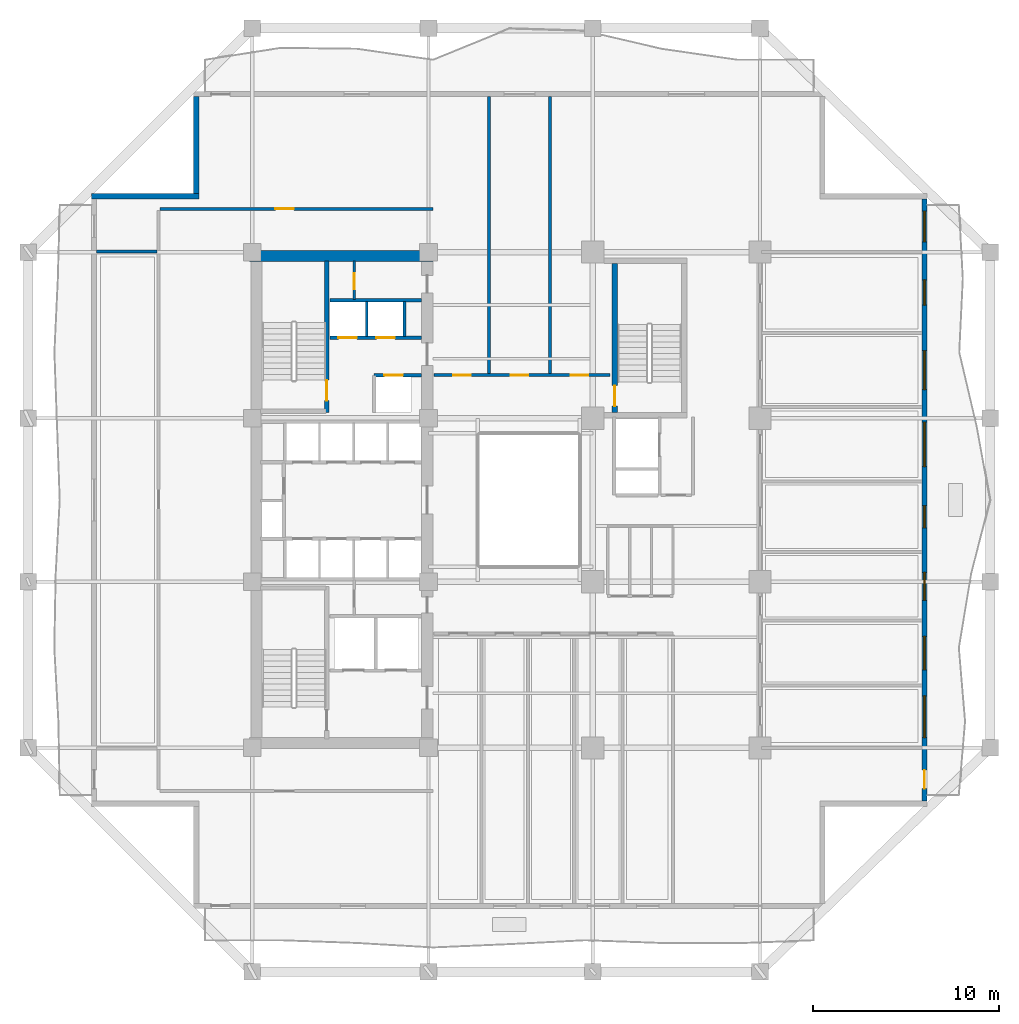
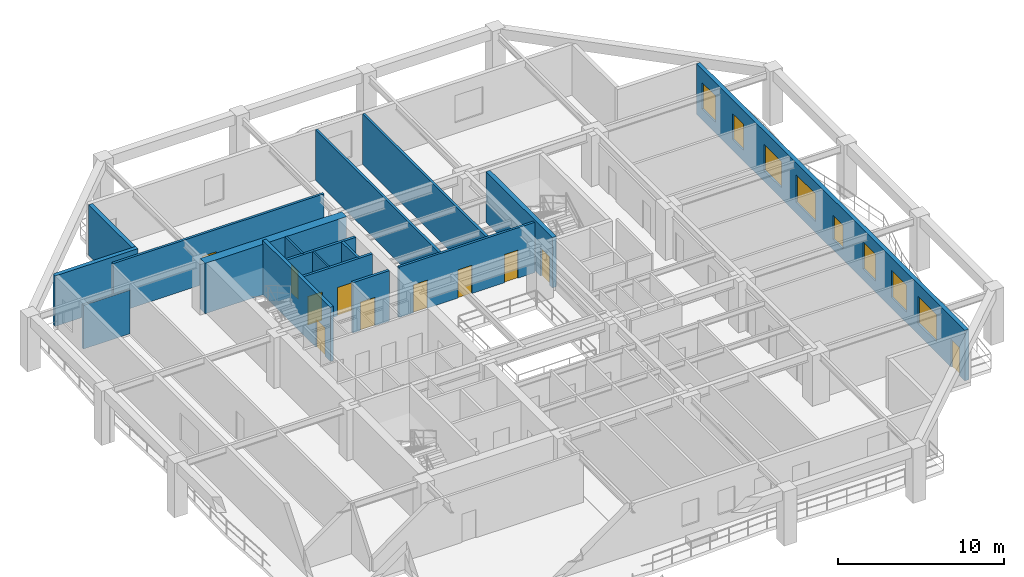
# One storey, part 5 of 13: 17 walls, 11 doors, 8 windows, 19 openings.
"""IFC4 building model written with IfcOpenShell, lengths in metres."""

from ifc_helpers import new_model, si_unit, direction, frame, frame_2d, origin, place, context, subcontext, project, spatial, rectangle, extrude, material, layer, layer_set, type_object, element, fill, save


model = new_model("IFC4")

# Units and contexts
model_context = context("Model", 3, precision=1e-05, world=origin(), true_north=direction((0.0, 1.0)))
body_context = subcontext(model_context, "Body", "Model", "MODEL_VIEW")
ifc_project = project(units=[si_unit("LENGTHUNIT", "METRE"), si_unit("AREAUNIT", "SQUARE_METRE"), si_unit("VOLUMEUNIT", "CUBIC_METRE"), si_unit("PLANEANGLEUNIT", "RADIAN"), si_unit("MASSUNIT", "GRAM", prefix="KILO")], contexts=[model_context])

# Site, building, storey
site_placement = place(None, origin())
site = spatial("IfcSite", under=ifc_project, at=site_placement, CompositionType="ELEMENT")
building_placement = place(site_placement, origin())
building = spatial("IfcBuilding", under=site, at=building_placement, Name="Kundavana Baori Tower", CompositionType="ELEMENT")
storey_placement = place(building_placement, frame((0.0, 0.0, 62.0)))
storey = spatial("IfcBuildingStorey", under=building, at=storey_placement, Name="L14", CompositionType="ELEMENT", Elevation=62.0)

# Wall, opening, door
ifc_material_1 = material(Name="Concrete C50/60", Category="concrete")
ifc_layer_1 = layer(ifc_material_1, 0.39990234375, Name="WL-CORE-400")
ifc_layer_set_1 = layer_set([ifc_layer_1], Name="Concrete C50/60")
wall_type_1 = type_object("IfcWallType", Name="WL-CORE-400", PredefinedType="SHEAR", material=ifc_layer_set_1)
wall_1_placement = place(storey_placement, frame((19.4599609375, 33.300048828125, 0.0), z_axis=(0.0, 0.0, 1.0), x_axis=(0.0, 1.0, 0.0)))
wall_1 = element("IfcWall", 1, at=wall_1_placement, inside=storey, type_object=wall_type_1, Name="WL-L14-ST2-E", PredefinedType="SHEAR", context=body_context, shape_type="SweptSolid", body=[
    extrude(rectangle(XDim=8.179931640625, YDim=0.239990234375, at=frame_2d((4.08984375, 0.0))), origin(), (0.0, 0.0, 1.0), 4.0),
])
opening_1_placement = place(wall_1_placement, frame((0.64990234375, 0.0, 0.0)))
opening_1 = element("IfcOpeningElement", 2, at=opening_1_placement, cuts=wall_1, Name="Opening FD-110", PredefinedType="OPENING", context=body_context, shape_type="SweptSolid", body=[
    extrude(rectangle(XDim=1.10009765625, YDim=2.10009765625, at=frame_2d((0.550048828125, 1.050048828125))), frame((0.0, 0.1298828125, 0.0), z_axis=(0.0, -1.0, 0.0), x_axis=(1.0, 0.0, 0.0)), (0.0, 0.0, 1.0), 0.260009765625),
])
ifc_material_2 = material(Name="Galvanised Steel Fire-Rated Door Leaf", Category="steel")
door_type_1 = type_object("IfcDoorType", Name="DR-FD120-1100", OperationType="NOTDEFINED", PredefinedType="DOOR", material=ifc_material_2)
door_1_placement = place(opening_1_placement, origin())
door_1 = element("IfcDoor", 3, at=door_1_placement, inside=storey, type_object=door_type_1, Name="DR-L14-ST2", OperationType="SINGLE_SWING_RIGHT", OverallHeight=2.10009765625, OverallWidth=1.10009765625, PredefinedType="DOOR", context=body_context, shape_type="SweptSolid", body=[
    extrude(rectangle(XDim=1.10009765625, YDim=2.10009765625, at=frame_2d((0.550048828125, 1.050048828125))), frame((0.0, 0.02490234375, 0.0), z_axis=(0.0, -1.0, 0.0), x_axis=(1.0, 0.0, 0.0)), (0.0, 0.0, 1.0), 0.050048828125),
])
fill(opening_1, door_1)

# Wall
ifc_material_3 = material(Name="Concrete C60/75", Category="concrete")
ifc_layer_2 = layer(ifc_material_3, 0.60009765625, Name="WL-CORE-600")
ifc_layer_set_2 = layer_set([ifc_layer_2], Name="Concrete C60/75")
wall_type_2 = type_object("IfcWallType", Name="WL-CORE-600", PredefinedType="SHEAR", material=ifc_layer_set_2)
wall_2_placement = place(storey_placement, frame((15.300048828125, 41.739990234375, 0.0), z_axis=(0.0, 0.0, 1.0), x_axis=(1.0, 0.0, 0.0)))
element("IfcWall", 4, at=wall_2_placement, inside=storey, type_object=wall_type_2, Name="L14 Offset Core North Shear Wall", PredefinedType="SHEAR", context=body_context, shape_type="SweptSolid", body=[
    extrude(rectangle(XDim=9.8798828125, YDim=0.60009765625, at=frame_2d((4.93994140625, 0.0))), origin(), (0.0, 0.0, 1.0), 3.719970703125),
])

# Wall, openings, door, windows
ifc_material_4 = material(Name="Red-Buff Dholpur Sandstone Cladding on Concrete C40/50", Category="masonry")
ifc_layer_3 = layer(ifc_material_4, 0.280029296875, Name="WL-EXT-SAND-280")
ifc_layer_set_3 = layer_set([ifc_layer_3], Name="Red-Buff Dholpur Sandstone Cladding on Concrete C40/50")
wall_type_3 = type_object("IfcWallType", Name="WL-EXT-SAND-280", PredefinedType="STANDARD", material=ifc_layer_set_3)
wall_3_placement = place(storey_placement, frame((51.659912109375, 12.3798828125, 0.0), z_axis=(0.0, 0.0, 1.0), x_axis=(0.0, 1.0, 0.0)))
wall_3 = element("IfcWall", 5, at=wall_3_placement, inside=storey, type_object=wall_type_3, Name="L14 Exterior Insulated Facade Wall 04", PredefinedType="STANDARD", context=body_context, shape_type="SweptSolid", body=[
    extrude(rectangle(XDim=32.440185546875, YDim=0.280029296875, at=frame_2d((16.22021484375, 0.0))), origin(), (0.0, 0.0, 1.0), 3.719970703125),
])
opening_2_placement = place(wall_3_placement, frame((0.669921875, 0.0, 0.0)))
opening_2 = element("IfcOpeningElement", 6, at=opening_2_placement, cuts=wall_3, Name="Opening BD-1", PredefinedType="OPENING", context=body_context, shape_type="SweptSolid", body=[
    extrude(rectangle(XDim=1.0, YDim=2.050048828125, at=frame_2d((0.5, 1.02490234375))), frame((0.0, 0.14990234375, 0.0), z_axis=(0.0, -1.0, 0.0), x_axis=(1.0, 0.0, 0.0)), (0.0, 0.0, 1.0), 0.300048828125),
])
opening_3_placement = place(wall_3_placement, frame((3.419921875, 0.0, 0.800048828125)))
opening_3 = element("IfcOpeningElement", 7, at=opening_3_placement, cuts=wall_3, Name="Opening W-10", PredefinedType="OPENING", context=body_context, shape_type="SweptSolid", body=[
    extrude(rectangle(XDim=2.25, YDim=2.0, at=frame_2d((1.125, 1.0))), frame((0.0, 0.14990234375, 0.0), z_axis=(0.0, -1.0, 0.0), x_axis=(1.0, 0.0, 0.0)), (0.0, 0.0, 1.0), 0.300048828125),
])
opening_4_placement = place(wall_3_placement, frame((7.070068359375, 0.0, 0.800048828125)))
opening_4 = element("IfcOpeningElement", 8, at=opening_4_placement, cuts=wall_3, Name="Opening W-01", PredefinedType="OPENING", context=body_context, shape_type="SweptSolid", body=[
    extrude(rectangle(XDim=1.800048828125, YDim=2.0, at=frame_2d((0.89990234375, 1.0))), frame((0.0, 0.14990234375, 0.0), z_axis=(0.0, -1.0, 0.0), x_axis=(1.0, 0.0, 0.0)), (0.0, 0.0, 1.0), 0.300048828125),
])
opening_5_placement = place(wall_3_placement, frame((10.820068359375, 0.0, 0.800048828125)))
opening_5 = element("IfcOpeningElement", 9, at=opening_5_placement, cuts=wall_3, Name="Opening W-02", PredefinedType="OPENING", context=body_context, shape_type="SweptSolid", body=[
    extrude(rectangle(XDim=1.5, YDim=2.0, at=frame_2d((0.75, 1.0))), frame((0.0, 0.14990234375, 0.0), z_axis=(0.0, -1.0, 0.0), x_axis=(1.0, 0.0, 0.0)), (0.0, 0.0, 1.0), 0.300048828125),
])
opening_6_placement = place(wall_3_placement, frame((14.719970703125, 0.0, 0.800048828125)))
opening_6 = element("IfcOpeningElement", 10, at=opening_6_placement, cuts=wall_3, Name="Opening W-03", PredefinedType="OPENING", context=body_context, shape_type="SweptSolid", body=[
    extrude(rectangle(XDim=1.199951171875, YDim=1.75, at=frame_2d((0.60009765625, 0.875))), frame((0.0, 0.14990234375, 0.0), z_axis=(0.0, -1.0, 0.0), x_axis=(1.0, 0.0, 0.0)), (0.0, 0.0, 1.0), 0.300048828125),
])
opening_7_placement = place(wall_3_placement, frame((18.02001953125, 0.0, 0.800048828125)))
opening_7 = element("IfcOpeningElement", 11, at=opening_7_placement, cuts=wall_3, Name="Opening W-04", PredefinedType="OPENING", context=body_context, shape_type="SweptSolid", body=[
    extrude(rectangle(XDim=2.39990234375, YDim=2.050048828125, at=frame_2d((1.199951171875, 1.02490234375))), frame((0.0, 0.14990234375, 0.0), z_axis=(0.0, -1.0, 0.0), x_axis=(1.0, 0.0, 0.0)), (0.0, 0.0, 1.0), 0.300048828125),
])
opening_8_placement = place(wall_3_placement, frame((22.169921875, 0.0, 0.800048828125)))
opening_8 = element("IfcOpeningElement", 12, at=opening_8_placement, cuts=wall_3, Name="Opening W-05", PredefinedType="OPENING", context=body_context, shape_type="SweptSolid", body=[
    extrude(rectangle(XDim=2.10009765625, YDim=1.949951171875, at=frame_2d((1.050048828125, 0.97509765625))), frame((0.0, 0.14990234375, 0.0), z_axis=(0.0, -1.0, 0.0), x_axis=(1.0, 0.0, 0.0)), (0.0, 0.0, 1.0), 0.300048828125),
])
opening_9_placement = place(wall_3_placement, frame((26.719970703125, 0.0, 0.800048828125)))
opening_9 = element("IfcOpeningElement", 13, at=opening_9_placement, cuts=wall_3, Name="Opening W-07", PredefinedType="OPENING", context=body_context, shape_type="SweptSolid", body=[
    extrude(rectangle(XDim=1.35009765625, YDim=1.89990234375, at=frame_2d((0.675048828125, 0.949951171875))), frame((0.0, 0.14990234375, 0.0), z_axis=(0.0, -1.0, 0.0), x_axis=(1.0, 0.0, 0.0)), (0.0, 0.0, 1.0), 0.300048828125),
])
opening_10_placement = place(wall_3_placement, frame((30.125, 0.0, 0.800048828125)))
opening_10 = element("IfcOpeningElement", 14, at=opening_10_placement, cuts=wall_3, Name="Opening W-08", PredefinedType="OPENING", context=body_context, shape_type="SweptSolid", body=[
    extrude(rectangle(XDim=1.64990234375, YDim=1.949951171875, at=frame_2d((0.824951171875, 0.97509765625))), frame((0.0, 0.14990234375, 0.0), z_axis=(0.0, -1.0, 0.0), x_axis=(1.0, 0.0, 0.0)), (0.0, 0.0, 1.0), 0.300048828125),
])
ifc_material_5 = material(Name="Architectural Patinated Bronze Metalwork")
door_type_2 = type_object("IfcDoorType", Name="DR-EXT-LOG-1000", OperationType="NOTDEFINED", PredefinedType="DOOR", material=ifc_material_5)
door_2_placement = place(opening_2_placement, frame((1.0, 0.0, 0.0), z_axis=(0.0, 0.0, 1.0), x_axis=(-1.0, 0.0, 0.0)))
door_2 = element("IfcDoor", 15, at=door_2_placement, inside=storey, type_object=door_type_2, Name="L14 Loggia Balcony Access Door E", OperationType="SINGLE_SWING_RIGHT", OverallHeight=2.050048828125, OverallWidth=1.0, PredefinedType="DOOR", context=body_context, shape_type="SweptSolid", body=[
    extrude(rectangle(XDim=1.0, YDim=2.050048828125, at=frame_2d((0.5, 1.02490234375))), frame((0.0, 0.02490234375, 0.0), z_axis=(0.0, -1.0, 0.0), x_axis=(1.0, 0.0, 0.0)), (0.0, 0.0, 1.0), 0.050048828125),
])
fill(opening_2, door_2)
ifc_material_6 = material(Name="Double-Glazed Solar-Control Low-E Insulated Glass", Category="glass")
window_type_1 = type_object("IfcWindowType", Name="WIN-LOG-1200x1750", PartitioningType="SINGLE_PANEL", PredefinedType="WINDOW", material=ifc_material_6)
window_1_placement = place(opening_6_placement, origin())
window_1 = element("IfcWindow", 16, at=window_1_placement, inside=storey, type_object=window_type_1, Name="L14 Recessed Loggia Window E-5", OverallHeight=1.75, OverallWidth=1.199951171875, PartitioningType="SINGLE_PANEL", PredefinedType="WINDOW", context=body_context, shape_type="SweptSolid", body=[
    extrude(rectangle(XDim=1.199951171875, YDim=1.75, at=frame_2d((0.60009765625, 0.875))), frame((0.0, 0.030029296875, 0.0), z_axis=(0.0, -1.0, 0.0), x_axis=(1.0, 0.0, 0.0)), (0.0, 0.0, 1.0), 0.06005859375),
])
fill(opening_6, window_1)
ifc_material_7 = material(Name="Double-Glazed Solar-Control Low-E Insulated Glass", Category="glass")
window_type_2 = type_object("IfcWindowType", Name="WIN-LOG-1350x1900", PartitioningType="SINGLE_PANEL", PredefinedType="WINDOW", material=ifc_material_7)
window_2_placement = place(opening_9_placement, origin())
window_2 = element("IfcWindow", 17, at=window_2_placement, inside=storey, type_object=window_type_2, Name="L14 Recessed Loggia Window E-8", OverallHeight=1.89990234375, OverallWidth=1.35009765625, PartitioningType="SINGLE_PANEL", PredefinedType="WINDOW", context=body_context, shape_type="SweptSolid", body=[
    extrude(rectangle(XDim=1.35009765625, YDim=1.89990234375, at=frame_2d((0.675048828125, 0.949951171875))), frame((0.0, 0.030029296875, 0.0), z_axis=(0.0, -1.0, 0.0), x_axis=(1.0, 0.0, 0.0)), (0.0, 0.0, 1.0), 0.06005859375),
])
fill(opening_9, window_2)
ifc_material_8 = material(Name="Double-Glazed Solar-Control Low-E Insulated Glass", Category="glass")
window_type_3 = type_object("IfcWindowType", Name="WIN-LOG-1500x2000", PartitioningType="SINGLE_PANEL", PredefinedType="WINDOW", material=ifc_material_8)
window_3_placement = place(opening_5_placement, origin())
window_3 = element("IfcWindow", 18, at=window_3_placement, inside=storey, type_object=window_type_3, Name="L14 Recessed Loggia Window E-4", OverallHeight=2.0, OverallWidth=1.5, PartitioningType="SINGLE_PANEL", PredefinedType="WINDOW", context=body_context, shape_type="SweptSolid", body=[
    extrude(rectangle(XDim=1.5, YDim=2.0, at=frame_2d((0.75, 1.0))), frame((0.0, 0.030029296875, 0.0), z_axis=(0.0, -1.0, 0.0), x_axis=(1.0, 0.0, 0.0)), (0.0, 0.0, 1.0), 0.06005859375),
])
fill(opening_5, window_3)
ifc_material_9 = material(Name="Double-Glazed Solar-Control Low-E Insulated Glass", Category="glass")
window_type_4 = type_object("IfcWindowType", Name="WIN-LOG-1650x1950", PartitioningType="SINGLE_PANEL", PredefinedType="WINDOW", material=ifc_material_9)
window_4_placement = place(opening_10_placement, origin())
window_4 = element("IfcWindow", 19, at=window_4_placement, inside=storey, type_object=window_type_4, Name="L14 Recessed Loggia Window E-9", OverallHeight=1.949951171875, OverallWidth=1.64990234375, PartitioningType="SINGLE_PANEL", PredefinedType="WINDOW", context=body_context, shape_type="SweptSolid", body=[
    extrude(rectangle(XDim=1.64990234375, YDim=1.949951171875, at=frame_2d((0.824951171875, 0.97509765625))), frame((0.0, 0.030029296875, 0.0), z_axis=(0.0, -1.0, 0.0), x_axis=(1.0, 0.0, 0.0)), (0.0, 0.0, 1.0), 0.06005859375),
])
fill(opening_10, window_4)
ifc_material_10 = material(Name="Double-Glazed Solar-Control Low-E Insulated Glass", Category="glass")
window_type_5 = type_object("IfcWindowType", Name="WIN-LOG-1800x2000", PartitioningType="SINGLE_PANEL", PredefinedType="WINDOW", material=ifc_material_10)
window_5_placement = place(opening_4_placement, origin())
window_5 = element("IfcWindow", 20, at=window_5_placement, inside=storey, type_object=window_type_5, Name="L14 Recessed Loggia Window E-3", OverallHeight=2.0, OverallWidth=1.800048828125, PartitioningType="SINGLE_PANEL", PredefinedType="WINDOW", context=body_context, shape_type="SweptSolid", body=[
    extrude(rectangle(XDim=1.800048828125, YDim=2.0, at=frame_2d((0.89990234375, 1.0))), frame((0.0, 0.030029296875, 0.0), z_axis=(0.0, -1.0, 0.0), x_axis=(1.0, 0.0, 0.0)), (0.0, 0.0, 1.0), 0.06005859375),
])
fill(opening_4, window_5)
ifc_material_11 = material(Name="Double-Glazed Solar-Control Low-E Insulated Glass", Category="glass")
window_type_6 = type_object("IfcWindowType", Name="WIN-LOG-2100x1950", PartitioningType="SINGLE_PANEL", PredefinedType="WINDOW", material=ifc_material_11)
window_6_placement = place(opening_8_placement, origin())
window_6 = element("IfcWindow", 21, at=window_6_placement, inside=storey, type_object=window_type_6, Name="L14 Recessed Loggia Window E-7", OverallHeight=1.949951171875, OverallWidth=2.10009765625, PartitioningType="SINGLE_PANEL", PredefinedType="WINDOW", context=body_context, shape_type="SweptSolid", body=[
    extrude(rectangle(XDim=2.10009765625, YDim=1.949951171875, at=frame_2d((1.050048828125, 0.97509765625))), frame((0.0, 0.030029296875, 0.0), z_axis=(0.0, -1.0, 0.0), x_axis=(1.0, 0.0, 0.0)), (0.0, 0.0, 1.0), 0.06005859375),
])
fill(opening_8, window_6)
ifc_material_12 = material(Name="Double-Glazed Solar-Control Low-E Insulated Glass", Category="glass")
window_type_7 = type_object("IfcWindowType", Name="WIN-LOG-2250x2000", PartitioningType="SINGLE_PANEL", PredefinedType="WINDOW", material=ifc_material_12)
window_7_placement = place(opening_3_placement, origin())
window_7 = element("IfcWindow", 22, at=window_7_placement, inside=storey, type_object=window_type_7, Name="L14 Recessed Loggia Window E-2", OverallHeight=2.0, OverallWidth=2.25, PartitioningType="SINGLE_PANEL", PredefinedType="WINDOW", context=body_context, shape_type="SweptSolid", body=[
    extrude(rectangle(XDim=2.25, YDim=2.0, at=frame_2d((1.125, 1.0))), frame((0.0, 0.030029296875, 0.0), z_axis=(0.0, -1.0, 0.0), x_axis=(1.0, 0.0, 0.0)), (0.0, 0.0, 1.0), 0.06005859375),
])
fill(opening_3, window_7)
ifc_material_13 = material(Name="Double-Glazed Solar-Control Low-E Insulated Glass", Category="glass")
window_type_8 = type_object("IfcWindowType", Name="WIN-LOG-2400x2050", PartitioningType="SINGLE_PANEL", PredefinedType="WINDOW", material=ifc_material_13)
window_8_placement = place(opening_7_placement, origin())
window_8 = element("IfcWindow", 23, at=window_8_placement, inside=storey, type_object=window_type_8, Name="L14 Recessed Loggia Window E-6", OverallHeight=2.050048828125, OverallWidth=2.39990234375, PartitioningType="SINGLE_PANEL", PredefinedType="WINDOW", context=body_context, shape_type="SweptSolid", body=[
    extrude(rectangle(XDim=2.39990234375, YDim=2.050048828125, at=frame_2d((1.199951171875, 1.02490234375))), frame((0.0, 0.030029296875, 0.0), z_axis=(0.0, -1.0, 0.0), x_axis=(1.0, 0.0, 0.0)), (0.0, 0.0, 1.0), 0.06005859375),
])
fill(opening_7, window_8)

# Walls
wall_4_placement = place(storey_placement, frame((12.43994140625, 50.320068359375, 0.0), z_axis=(0.0, 0.0, 1.0), x_axis=(0.0, -1.0, 0.0)))
element("IfcWall", 24, at=wall_4_placement, inside=storey, type_object=wall_type_3, Name="L14 Exterior Insulated Facade Wall 08", PredefinedType="STANDARD", context=body_context, shape_type="SweptSolid", body=[
    extrude(rectangle(XDim=5.219970703125, YDim=0.280029296875, at=frame_2d((2.60986328125, 0.0))), origin(), (0.0, 0.0, 1.0), 3.719970703125),
])
wall_5_placement = place(storey_placement, frame((12.580078125, 44.9599609375, 0.0), z_axis=(0.0, 0.0, 1.0), x_axis=(-1.0, 0.0, 0.0)))
element("IfcWall", 25, at=wall_5_placement, inside=storey, type_object=wall_type_3, Name="L14 Exterior Insulated Facade Wall 09", PredefinedType="STANDARD", context=body_context, shape_type="SweptSolid", body=[
    extrude(rectangle(XDim=5.780029296875, YDim=0.280029296875, at=frame_2d((2.89013671875, 0.0))), origin(), (0.0, 0.0, 1.0), 3.719970703125),
])
ifc_material_14 = material(Name="Acoustic Gypsum Plasterboard on Galvanised Steel Studs", Category="steel")
ifc_layer_4 = layer(ifc_material_14, 0.1201171875, Name="WL-PART-120")
ifc_layer_set_4 = layer_set([ifc_layer_4], Name="Acoustic Gypsum Plasterboard on Galvanised Steel Studs")
wall_type_4 = type_object("IfcWallType", Name="WL-PART-120", PredefinedType="PARTITIONING", material=ifc_layer_set_4)
wall_6_placement = place(storey_placement, frame((21.6201171875, 37.39990234375, 0.0), z_axis=(0.0, 0.0, 1.0), x_axis=(0.0, 1.0, 0.0)))
element("IfcWall", 26, at=wall_6_placement, inside=storey, type_object=wall_type_4, Name="WL-L14-HR-DIV1", PredefinedType="PARTITIONING", context=body_context, shape_type="SweptSolid", body=[
    extrude(rectangle(XDim=1.900146484375, YDim=0.1201171875, at=frame_2d((0.9501953125, 0.0))), origin(), (0.0, 0.0, 1.0), 3.719970703125),
])

# Wall, opening, door
wall_7_placement = place(storey_placement, frame((20.949951171875, 39.39990234375, 0.0), z_axis=(0.0, 0.0, 1.0), x_axis=(0.0, 1.0, 0.0)))
wall_7 = element("IfcWall", 27, at=wall_7_placement, inside=storey, type_object=wall_type_4, Name="WL-L14-CSRV-D2", PredefinedType="PARTITIONING", context=body_context, shape_type="SweptSolid", body=[
    extrude(rectangle(XDim=2.080078125, YDim=0.1201171875, at=frame_2d((1.0400390625, 0.0))), origin(), (0.0, 0.0, 1.0), 3.719970703125),
])
opening_11_placement = place(wall_7_placement, frame((0.550048828125, 0.0, 0.0)))
opening_11 = element("IfcOpeningElement", 28, at=opening_11_placement, cuts=wall_7, Name="Opening FD-085", PredefinedType="OPENING", context=body_context, shape_type="SweptSolid", body=[
    extrude(rectangle(XDim=0.85009765625, YDim=2.06005859375, at=frame_2d((0.425048828125, 1.030029296875))), frame((0.0, 0.070068359375, 0.0), z_axis=(0.0, -1.0, 0.0), x_axis=(1.0, 0.0, 0.0)), (0.0, 0.0, 1.0), 0.14013671875),
])
ifc_material_15 = material(Name="Galvanised Steel Fire-Rated Door Leaf", Category="steel")
door_type_3 = type_object("IfcDoorType", Name="DR-FD60-850", OperationType="NOTDEFINED", PredefinedType="DOOR", material=ifc_material_15)
door_3_placement = place(opening_11_placement, origin())
door_3 = element("IfcDoor", 29, at=door_3_placement, inside=storey, type_object=door_type_3, Name="DR-L14-CSRV1", OperationType="SINGLE_SWING_RIGHT", OverallHeight=2.06005859375, OverallWidth=0.85009765625, PredefinedType="DOOR", context=body_context, shape_type="SweptSolid", body=[
    extrude(rectangle(XDim=0.85009765625, YDim=2.06005859375, at=frame_2d((0.425048828125, 1.030029296875))), frame((0.0, 0.02490234375, 0.0), z_axis=(0.0, -1.0, 0.0), x_axis=(1.0, 0.0, 0.0)), (0.0, 0.0, 1.0), 0.050048828125),
])
fill(opening_11, door_3)

# Wall, openings, doors
ifc_material_16 = material(Name="Fire-Rated Gypsum Drywall on Galvanised Steel Studs", Category="steel")
ifc_layer_5 = layer(ifc_material_16, 0.1650390625, Name="WL-PART-165")
ifc_layer_set_5 = layer_set([ifc_layer_5], Name="Fire-Rated Gypsum Drywall on Galvanised Steel Studs")
wall_type_5 = type_object("IfcWallType", Name="WL-PART-165", PredefinedType="PARTITIONING", material=ifc_layer_set_5)
wall_8_placement = place(storey_placement, frame((25.25, 35.320068359375, 0.0), z_axis=(0.0, 0.0, 1.0), x_axis=(1.0, 0.0, 0.0)))
wall_8 = element("IfcWall", 30, at=wall_8_placement, inside=storey, type_object=wall_type_5, Name="WL-L14-OFN", PredefinedType="PARTITIONING", context=body_context, shape_type="SweptSolid", body=[
    extrude(rectangle(XDim=9.469970703125, YDim=0.1650390625, at=frame_2d((4.73486328125, 0.0))), origin(), (0.0, 0.0, 1.0), 3.719970703125),
])
opening_12_placement = place(wall_8_placement, frame((1.02490234375, 0.0, 0.0)))
opening_12 = element("IfcOpeningElement", 31, at=opening_12_placement, cuts=wall_8, Name="Opening ID-095", PredefinedType="OPENING", context=body_context, shape_type="SweptSolid", body=[
    extrude(rectangle(XDim=0.949951171875, YDim=2.080078125, at=frame_2d((0.47509765625, 1.0400390625))), frame((0.0, 0.092529296875, 0.0), z_axis=(0.0, -1.0, 0.0), x_axis=(1.0, 0.0, 0.0)), (0.0, 0.0, 1.0), 0.18505859375),
])
opening_13_placement = place(wall_8_placement, frame((4.125, 0.0, 0.0)))
opening_13 = element("IfcOpeningElement", 32, at=opening_13_placement, cuts=wall_8, Name="Opening ID-095", PredefinedType="OPENING", context=body_context, shape_type="SweptSolid", body=[
    extrude(rectangle(XDim=0.949951171875, YDim=2.080078125, at=frame_2d((0.47509765625, 1.0400390625))), frame((0.0, 0.092529296875, 0.0), z_axis=(0.0, -1.0, 0.0), x_axis=(1.0, 0.0, 0.0)), (0.0, 0.0, 1.0), 0.18505859375),
])
opening_14_placement = place(wall_8_placement, frame((7.364990234375, 0.0, 0.0)))
opening_14 = element("IfcOpeningElement", 33, at=opening_14_placement, cuts=wall_8, Name="Opening ID-095", PredefinedType="OPENING", context=body_context, shape_type="SweptSolid", body=[
    extrude(rectangle(XDim=0.949951171875, YDim=2.080078125, at=frame_2d((0.47509765625, 1.0400390625))), frame((0.0, 0.092529296875, 0.0), z_axis=(0.0, -1.0, 0.0), x_axis=(1.0, 0.0, 0.0)), (0.0, 0.0, 1.0), 0.18505859375),
])
ifc_material_17 = material(Name="Engineered Teak Solid-Core Timber Veneer", Category="wood")
door_type_4 = type_object("IfcDoorType", Name="DR-INT-950", OperationType="NOTDEFINED", PredefinedType="DOOR", material=ifc_material_17)
door_4_placement = place(opening_12_placement, origin())
door_4 = element("IfcDoor", 34, at=door_4_placement, inside=storey, type_object=door_type_4, Name="DR-L14-OFN1", OperationType="SINGLE_SWING_LEFT", OverallHeight=2.080078125, OverallWidth=0.949951171875, PredefinedType="DOOR", context=body_context, shape_type="SweptSolid", body=[
    extrude(rectangle(XDim=0.949951171875, YDim=2.080078125, at=frame_2d((0.47509765625, 1.0400390625))), frame((0.0, 0.02490234375, 0.0), z_axis=(0.0, -1.0, 0.0), x_axis=(1.0, 0.0, 0.0)), (0.0, 0.0, 1.0), 0.050048828125),
])
fill(opening_12, door_4)
door_5_placement = place(opening_13_placement, origin())
door_5 = element("IfcDoor", 35, at=door_5_placement, inside=storey, type_object=door_type_4, Name="DR-L14-OFN2", OperationType="SINGLE_SWING_LEFT", OverallHeight=2.080078125, OverallWidth=0.949951171875, PredefinedType="DOOR", context=body_context, shape_type="SweptSolid", body=[
    extrude(rectangle(XDim=0.949951171875, YDim=2.080078125, at=frame_2d((0.47509765625, 1.0400390625))), frame((0.0, 0.02490234375, 0.0), z_axis=(0.0, -1.0, 0.0), x_axis=(1.0, 0.0, 0.0)), (0.0, 0.0, 1.0), 0.050048828125),
])
fill(opening_13, door_5)
door_6_placement = place(opening_14_placement, origin())
door_6 = element("IfcDoor", 36, at=door_6_placement, inside=storey, type_object=door_type_4, Name="DR-L14-OFN3", OperationType="SINGLE_SWING_LEFT", OverallHeight=2.080078125, OverallWidth=0.949951171875, PredefinedType="DOOR", context=body_context, shape_type="SweptSolid", body=[
    extrude(rectangle(XDim=0.949951171875, YDim=2.080078125, at=frame_2d((0.47509765625, 1.0400390625))), frame((0.0, 0.02490234375, 0.0), z_axis=(0.0, -1.0, 0.0), x_axis=(1.0, 0.0, 0.0)), (0.0, 0.0, 1.0), 0.050048828125),
])
fill(opening_14, door_6)

# Wall
wall_9_placement = place(storey_placement, frame((7.080078125, 41.97998046875, 0.0), z_axis=(0.0, 0.0, 1.0), x_axis=(1.0, 0.0, 0.0)))
element("IfcWall", 37, at=wall_9_placement, inside=storey, type_object=wall_type_5, Name="WL-L14-OWN", PredefinedType="PARTITIONING", context=body_context, shape_type="SweptSolid", body=[
    extrude(rectangle(XDim=3.260009765625, YDim=0.1650390625, at=frame_2d((1.6298828125, 0.0))), origin(), (0.0, 0.0, 1.0), 3.219970703125),
])

# Wall, opening, door
wall_10_placement = place(storey_placement, frame((10.5, 44.280029296875, 0.0), z_axis=(0.0, 0.0, 1.0), x_axis=(1.0, 0.0, 0.0)))
wall_10 = element("IfcWall", 38, at=wall_10_placement, inside=storey, type_object=wall_type_5, Name="WL-L14-ONC", PredefinedType="PARTITIONING", context=body_context, shape_type="SweptSolid", body=[
    extrude(rectangle(XDim=14.699951171875, YDim=0.1650390625, at=frame_2d((7.35009765625, 0.0))), origin(), (0.0, 0.0, 1.0), 3.719970703125),
])
opening_15_placement = place(wall_10_placement, frame((6.199951171875, 0.0, 0.0)))
opening_15 = element("IfcOpeningElement", 39, at=opening_15_placement, cuts=wall_10, Name="Opening ID-100", PredefinedType="OPENING", context=body_context, shape_type="SweptSolid", body=[
    extrude(rectangle(XDim=1.0, YDim=2.080078125, at=frame_2d((0.5, 1.0400390625))), frame((0.0, 0.092529296875, 0.0), z_axis=(0.0, -1.0, 0.0), x_axis=(1.0, 0.0, 0.0)), (0.0, 0.0, 1.0), 0.18505859375),
])
ifc_material_18 = material(Name="Engineered Teak Solid-Core Timber Veneer", Category="wood")
door_type_5 = type_object("IfcDoorType", Name="DR-INT-1000", OperationType="NOTDEFINED", PredefinedType="DOOR", material=ifc_material_18)
door_7_placement = place(opening_15_placement, origin())
door_7 = element("IfcDoor", 40, at=door_7_placement, inside=storey, type_object=door_type_5, Name="DR-L14-ONWC", OperationType="SINGLE_SWING_RIGHT", OverallHeight=2.080078125, OverallWidth=1.0, PredefinedType="DOOR", context=body_context, shape_type="SweptSolid", body=[
    extrude(rectangle(XDim=1.0, YDim=2.080078125, at=frame_2d((0.5, 1.0400390625))), frame((0.0, 0.02490234375, 0.0), z_axis=(0.0, -1.0, 0.0), x_axis=(1.0, 0.0, 0.0)), (0.0, 0.0, 1.0), 0.050048828125),
])
fill(opening_15, door_7)

# Walls
for number, where, z_axis, x_axis, name in (
    (41, (28.199951171875, 35.39990234375, 0.0), (0.0, 0.0, 1.0), (0.0, 1.0, 0.0), "WL-L14-ND1"),
    (42, (31.5, 35.39990234375, 0.0), (0.0, 0.0, 1.0), (0.0, 1.0, 0.0), "WL-L14-ND2"),
):
    element("IfcWall", number, at=place(storey_placement, frame(where, z_axis=z_axis, x_axis=x_axis)), inside=storey, type_object=wall_type_5, Name=name, PredefinedType="PARTITIONING", context=body_context, shape_type="SweptSolid", body=[
        extrude(rectangle(XDim=14.920166015625, YDim=0.1650390625, at=frame_2d((7.4599609375, 0.0))), origin(), (0.0, 0.0, 1.0), 3.719970703125),
    ])

# Wall, opening, door
ifc_material_19 = material(Name="Autoclaved Aerated Concrete Blockwork Masonry", Category="masonry")
ifc_layer_6 = layer(ifc_material_19, 0.179931640625, Name="WL-SHAFT-180")
ifc_layer_set_6 = layer_set([ifc_layer_6], Name="Autoclaved Aerated Concrete Blockwork Masonry")
wall_type_6 = type_object("IfcWallType", Name="WL-SHAFT-180", PredefinedType="SOLIDWALL", material=ifc_layer_set_6)
wall_11_placement = place(storey_placement, frame((22.02001953125, 35.31005859375, 0.0), z_axis=(0.0, 0.0, 1.0), x_axis=(1.0, 0.0, 0.0)))
wall_11 = element("IfcWall", 43, at=wall_11_placement, inside=storey, type_object=wall_type_6, Name="WL-L14-LP11-N", PredefinedType="SOLIDWALL", context=body_context, shape_type="SweptSolid", body=[
    extrude(rectangle(XDim=2.56005859375, YDim=0.179931640625, at=frame_2d((1.280029296875, 0.0))), origin(), (0.0, 0.0, 1.0), 3.719970703125),
])
opening_16_placement = place(wall_11_placement, frame((0.550048828125, 0.0, 0.0)))
opening_16 = element("IfcOpeningElement", 44, at=opening_16_placement, cuts=wall_11, Name="Opening LD-100", PredefinedType="OPENING", context=body_context, shape_type="SweptSolid", body=[
    extrude(rectangle(XDim=1.0, YDim=2.10009765625, at=frame_2d((0.5, 1.050048828125))), frame((0.0, 0.10009765625, 0.0), z_axis=(0.0, -1.0, 0.0), x_axis=(1.0, 0.0, 0.0)), (0.0, 0.0, 1.0), 0.199951171875),
])
ifc_material_20 = material(Name="Galvanised Steel Fire-Rated Door Leaf", Category="steel")
door_type_6 = type_object("IfcDoorType", Name="DR-SLIDE-LD1000", OperationType="NOTDEFINED", PredefinedType="DOOR", material=ifc_material_20)
door_8_placement = place(opening_16_placement, origin())
door_8 = element("IfcDoor", 45, at=door_8_placement, inside=storey, type_object=door_type_6, Name="DR-L14-LD-LP11", OperationType="DOUBLE_DOOR_SLIDING", OverallHeight=2.10009765625, OverallWidth=1.0, PredefinedType="DOOR", context=body_context, shape_type="SweptSolid", body=[
    extrude(rectangle(XDim=1.0, YDim=2.10009765625, at=frame_2d((0.5, 1.050048828125))), frame((0.0, 0.02490234375, 0.0), z_axis=(0.0, -1.0, 0.0), x_axis=(1.0, 0.0, 0.0)), (0.0, 0.0, 1.0), 0.050048828125),
])
fill(opening_16, door_8)

# Wall, openings, doors
wall_12_placement = place(storey_placement, frame((19.639892578125, 37.340087890625, 0.0), z_axis=(0.0, 0.0, 1.0), x_axis=(1.0, 0.0, 0.0)))
wall_12 = element("IfcWall", 46, at=wall_12_placement, inside=storey, type_object=wall_type_6, Name="WL-L14-HRLOB-N", PredefinedType="SOLIDWALL", context=body_context, shape_type="SweptSolid", body=[
    extrude(rectangle(XDim=4.940185546875, YDim=0.179931640625, at=frame_2d((2.47021484375, 0.0))), origin(), (0.0, 0.0, 1.0), 3.719970703125),
])
opening_17_placement = place(wall_12_placement, frame((0.449951171875, 0.0, 0.0)))
opening_17 = element("IfcOpeningElement", 47, at=opening_17_placement, cuts=wall_12, Name="Opening LD-100", PredefinedType="OPENING", context=body_context, shape_type="SweptSolid", body=[
    extrude(rectangle(XDim=1.0, YDim=2.10009765625, at=frame_2d((0.5, 1.050048828125))), frame((0.0, 0.10009765625, 0.0), z_axis=(0.0, -1.0, 0.0), x_axis=(1.0, 0.0, 0.0)), (0.0, 0.0, 1.0), 0.199951171875),
])
opening_18_placement = place(wall_12_placement, frame((2.5, 0.0, 0.0)))
opening_18 = element("IfcOpeningElement", 48, at=opening_18_placement, cuts=wall_12, Name="Opening LD-100", PredefinedType="OPENING", context=body_context, shape_type="SweptSolid", body=[
    extrude(rectangle(XDim=1.0, YDim=2.10009765625, at=frame_2d((0.5, 1.050048828125))), frame((0.0, 0.10009765625, 0.0), z_axis=(0.0, -1.0, 0.0), x_axis=(1.0, 0.0, 0.0)), (0.0, 0.0, 1.0), 0.199951171875),
])
door_9_placement = place(opening_17_placement, frame((1.0, 0.0, 0.0), z_axis=(0.0, 0.0, 1.0), x_axis=(-1.0, 0.0, 0.0)))
door_9 = element("IfcDoor", 49, at=door_9_placement, inside=storey, type_object=door_type_6, Name="DR-L14-LD-LP09", OperationType="DOUBLE_DOOR_SLIDING", OverallHeight=2.10009765625, OverallWidth=1.0, PredefinedType="DOOR", context=body_context, shape_type="SweptSolid", body=[
    extrude(rectangle(XDim=1.0, YDim=2.10009765625, at=frame_2d((0.5, 1.050048828125))), frame((0.0, 0.02490234375, 0.0), z_axis=(0.0, -1.0, 0.0), x_axis=(1.0, 0.0, 0.0)), (0.0, 0.0, 1.0), 0.050048828125),
])
fill(opening_17, door_9)
door_10_placement = place(opening_18_placement, frame((1.0, 0.0, 0.0), z_axis=(0.0, 0.0, 1.0), x_axis=(-1.0, 0.0, 0.0)))
door_10 = element("IfcDoor", 50, at=door_10_placement, inside=storey, type_object=door_type_6, Name="DR-L14-LD-LP10", OperationType="DOUBLE_DOOR_SLIDING", OverallHeight=2.10009765625, OverallWidth=1.0, PredefinedType="DOOR", context=body_context, shape_type="SweptSolid", body=[
    extrude(rectangle(XDim=1.0, YDim=2.10009765625, at=frame_2d((0.5, 1.050048828125))), frame((0.0, 0.02490234375, 0.0), z_axis=(0.0, -1.0, 0.0), x_axis=(1.0, 0.0, 0.0)), (0.0, 0.0, 1.0), 0.050048828125),
])
fill(opening_18, door_10)

# Walls
wall_13_placement = place(storey_placement, frame((19.639892578125, 39.360107421875, 0.0), z_axis=(0.0, 0.0, 1.0), x_axis=(1.0, 0.0, 0.0)))
element("IfcWall", 51, at=wall_13_placement, inside=storey, type_object=wall_type_6, Name="WL-L14-HRLOB-TOP", PredefinedType="SOLIDWALL", context=body_context, shape_type="SweptSolid", body=[
    extrude(rectangle(XDim=4.940185546875, YDim=0.179931640625, at=frame_2d((2.47021484375, 0.0))), origin(), (0.0, 0.0, 1.0), 3.719970703125),
])
wall_14_placement = place(storey_placement, frame((23.659912109375, 37.39990234375, 0.0), z_axis=(0.0, 0.0, 1.0), x_axis=(0.0, 1.0, 0.0)))
element("IfcWall", 52, at=wall_14_placement, inside=storey, type_object=wall_type_6, Name="WL-L14-HR-DIV2", PredefinedType="SOLIDWALL", context=body_context, shape_type="SweptSolid", body=[
    extrude(rectangle(XDim=1.900146484375, YDim=0.179931640625, at=frame_2d((0.9501953125, 0.0))), origin(), (0.0, 0.0, 1.0), 3.719970703125),
])

# Wall, opening, door
ifc_material_21 = material(Name="Concrete C50/60", Category="concrete")
ifc_layer_7 = layer(ifc_material_21, 0.300048828125, Name="WL-ST3-300")
ifc_layer_set_7 = layer_set([ifc_layer_7], Name="Concrete C50/60")
wall_type_7 = type_object("IfcWallType", Name="WL-ST3-300", PredefinedType="SHEAR", material=ifc_layer_set_7)
wall_15_placement = place(storey_placement, frame((34.97998046875, 33.31005859375, 0.0), z_axis=(0.0, 0.0, 1.0), x_axis=(0.0, 1.0, 0.0)))
wall_15 = element("IfcWall", 53, at=wall_15_placement, inside=storey, type_object=wall_type_7, Name="L14 Stair ST3 West Shear Wall", PredefinedType="SHEAR", context=body_context, shape_type="SweptSolid", body=[
    extrude(rectangle(XDim=8.030029296875, YDim=0.300048828125, at=frame_2d((4.01513671875, 0.0))), origin(), (0.0, 0.0, 1.0), 3.719970703125),
])
opening_19_placement = place(wall_15_placement, frame((0.35009765625, 0.0, 0.0)))
opening_19 = element("IfcOpeningElement", 54, at=opening_19_placement, cuts=wall_15, Name="Opening FD-110", PredefinedType="OPENING", context=body_context, shape_type="SweptSolid", body=[
    extrude(rectangle(XDim=1.10009765625, YDim=2.10009765625, at=frame_2d((0.550048828125, 1.050048828125))), frame((0.0, 0.16015625, 0.0), z_axis=(0.0, -1.0, 0.0), x_axis=(1.0, 0.0, 0.0)), (0.0, 0.0, 1.0), 0.320068359375),
])
door_11_placement = place(opening_19_placement, origin())
door_11 = element("IfcDoor", 55, at=door_11_placement, inside=storey, type_object=door_type_1, Name="DR-L14-ST3-W", OperationType="SINGLE_SWING_LEFT", OverallHeight=2.10009765625, OverallWidth=1.10009765625, PredefinedType="DOOR", context=body_context, shape_type="SweptSolid", body=[
    extrude(rectangle(XDim=1.10009765625, YDim=2.10009765625, at=frame_2d((0.550048828125, 1.050048828125))), frame((0.0, 0.02490234375, 0.0), z_axis=(0.0, -1.0, 0.0), x_axis=(1.0, 0.0, 0.0)), (0.0, 0.0, 1.0), 0.050048828125),
])
fill(opening_19, door_11)

save(model, "model.ifc")
